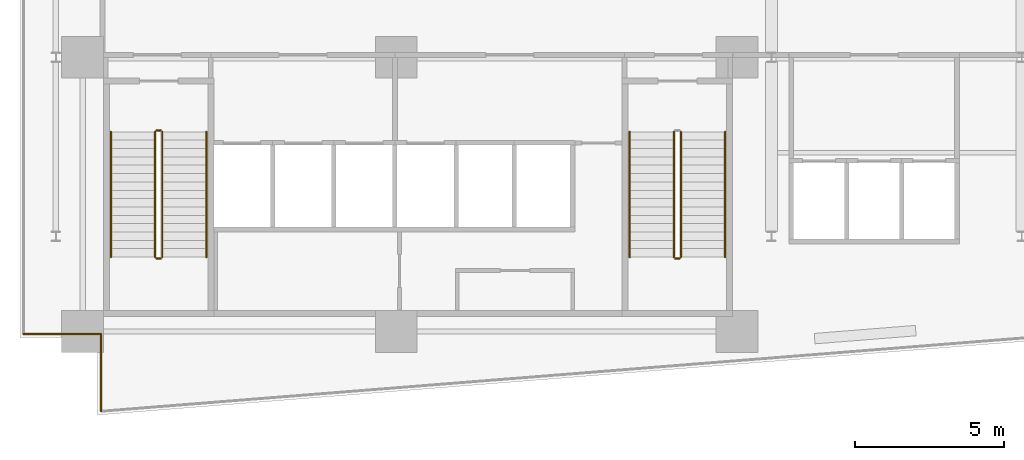
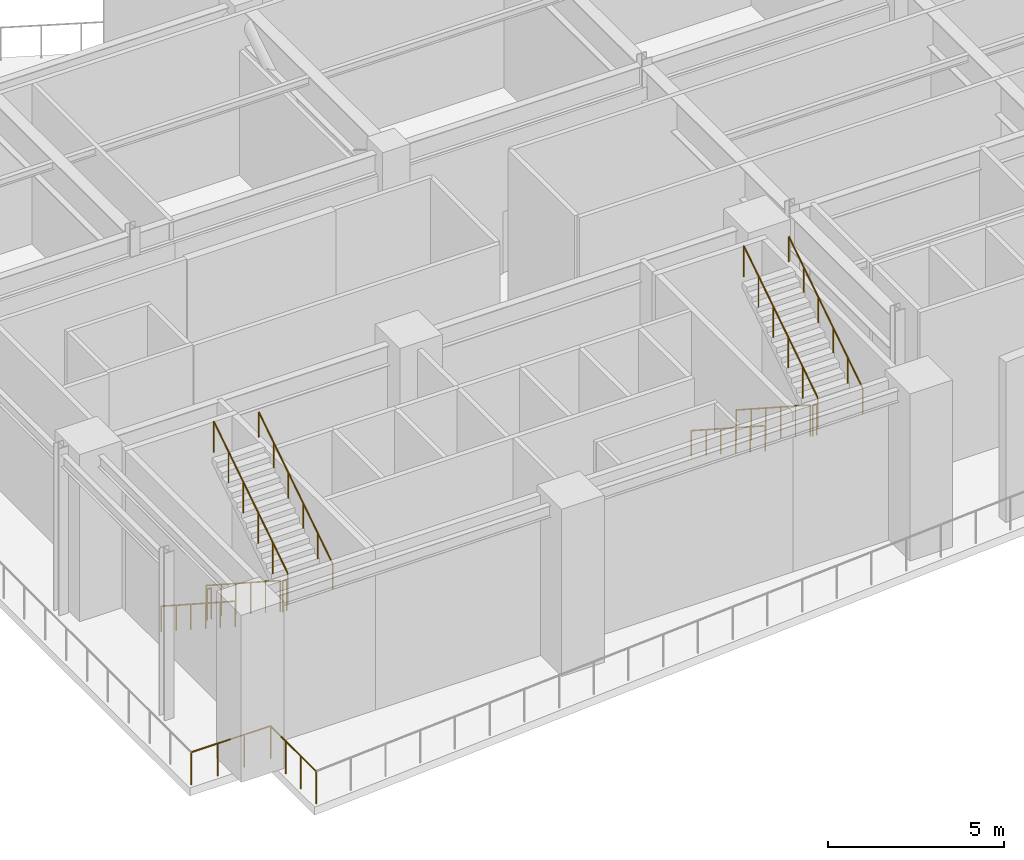
# One storey, part 9 of 14: 13 railings.
"""IFC4 building model written with IfcOpenShell, lengths in metres."""

from ifc_helpers import new_model, si_unit, direction, frame, origin, origin_2d, place, context, subcontext, project, spatial, circle, extrude, material, type_object, element, save


model = new_model("IFC4")

# Units and contexts
model_context = context("Model", 3, precision=1e-05, world=origin(), true_north=direction((0.0, 1.0)))
body_context = subcontext(model_context, "Body", "Model", "MODEL_VIEW")
ifc_project = project(units=[si_unit("LENGTHUNIT", "METRE"), si_unit("AREAUNIT", "SQUARE_METRE"), si_unit("VOLUMEUNIT", "CUBIC_METRE"), si_unit("PLANEANGLEUNIT", "RADIAN"), si_unit("MASSUNIT", "GRAM", prefix="KILO")], contexts=[model_context])

# Site, building, storey
site_placement = place(None, origin())
site = spatial("IfcSite", under=ifc_project, at=site_placement, CompositionType="ELEMENT")
building_placement = place(site_placement, origin())
building = spatial("IfcBuilding", under=site, at=building_placement, Name="Varnakote Quay Hospital", CompositionType="ELEMENT")
storey_placement = place(building_placement, frame((0.0, 0.0, 97.550048828125)))
storey = spatial("IfcBuildingStorey", under=building, at=storey_placement, Name="L24", CompositionType="ELEMENT", Elevation=97.550048828125)

# Railings
ifc_material_1 = material(Name="Anodised aluminium 6063-T6 Bronze", Category="aluminium")
railing_type_1 = type_object("IfcRailingType", Name="RLG-EXT-GUARD-1150", PredefinedType="GUARDRAIL", material=ifc_material_1)
railing_1_placement = place(storey_placement, frame((2.719970703125, 0.1298828125, 0.0)))
element("IfcRailing", 1, at=railing_1_placement, inside=storey, type_object=railing_type_1, Name="L24 Open Wind-Damping Deck Perimeter Safety Guard", PredefinedType="GUARDRAIL", context=body_context, shape_type="SweptSolid", body=[
    extrude(circle(Radius=0.02392578125, at=origin_2d()), frame((0.0, 0.0, 1.1259765625), z_axis=(0.0, 1.0, 0.0), x_axis=(-1.0, 0.0, 0.0)), (0.0, 0.0, 1.0), 2.590087890625),
    extrude(circle(Radius=0.02099609375, at=origin_2d()), origin(), (0.0, 0.0, 1.0), 1.101806640625),
    extrude(circle(Radius=0.02099609375, at=origin_2d()), frame((0.0, 0.86328125, 0.0)), (0.0, 0.0, 1.0), 1.101806640625),
    extrude(circle(Radius=0.02099609375, at=origin_2d()), frame((0.0, 1.726806640625, 0.0)), (0.0, 0.0, 1.0), 1.101806640625),
    extrude(circle(Radius=0.02099609375, at=origin_2d()), frame((0.0, 2.590087890625, 0.0)), (0.0, 0.0, 1.0), 1.101806640625),
])
railing_2_placement = place(storey_placement, frame((2.719970703125, 2.719970703125, 0.0)))
element("IfcRailing", 2, at=railing_2_placement, inside=storey, type_object=railing_type_1, Name="L24 Open Wind-Damping Deck Perimeter Safety Guard", PredefinedType="GUARDRAIL", context=body_context, shape_type="SweptSolid", body=[
    extrude(circle(Radius=0.02392578125, at=origin_2d()), frame((0.0, 0.0, 1.1259765625), z_axis=(-1.0, 0.0, 0.0), x_axis=(0.0, -1.0, 0.0)), (0.0, 0.0, 1.0), 2.599853515625),
    extrude(circle(Radius=0.02099609375, at=origin_2d()), origin(), (0.0, 0.0, 1.0), 1.101806640625),
    extrude(circle(Radius=0.02099609375, at=origin_2d()), frame((-0.86669921875, 0.0, 0.0)), (0.0, 0.0, 1.0), 1.101806640625),
    extrude(circle(Radius=0.02099609375, at=origin_2d()), frame((-1.733154296875, 0.0, 0.0)), (0.0, 0.0, 1.0), 1.101806640625),
    extrude(circle(Radius=0.02099609375, at=origin_2d()), frame((-2.599853515625, 0.0, 0.0)), (0.0, 0.0, 1.0), 1.101806640625),
])
ifc_material_2 = material(Name="Brushed stainless steel balustrade", Category="steel")
railing_type_2 = type_object("IfcRailingType", Name="RLG-STAIR-GUARD-1150", PredefinedType="GUARDRAIL", material=ifc_material_2)
railing_3_placement = place(storey_placement, frame((4.530029296875, 9.5, 0.18115234375)))
element("IfcRailing", 3, at=railing_3_placement, inside=storey, type_object=railing_type_2, Name="L24 ST-01 stair guard 1", PredefinedType="GUARDRAIL", context=body_context, shape_type="SweptSolid", body=[
    extrude(circle(Radius=0.02392578125, at=origin_2d()), frame((0.0, 0.0, 1.076171875), z_axis=(0.0, -0.839466714631, 0.543411110511), x_axis=(1.0, 0.0, 0.0)), (0.0, 0.0, 1.0), 5.003173828125),
    extrude(circle(Radius=0.02099609375, at=origin_2d()), origin(), (0.0, 0.0, 1.0), 1.052001953125),
    extrude(circle(Radius=0.02099609375, at=origin_2d()), frame((0.0, -0.840087890625, 0.543701171875)), (0.0, 0.0, 1.0), 1.052001953125),
    extrude(circle(Radius=0.02099609375, at=origin_2d()), frame((0.0, -1.679931640625, 1.08740234375)), (0.0, 0.0, 1.0), 1.052001953125),
    extrude(circle(Radius=0.02099609375, at=origin_2d()), frame((0.0, -2.52001953125, 1.63134765625)), (0.0, 0.0, 1.0), 1.052001953125),
    extrude(circle(Radius=0.02099609375, at=origin_2d()), frame((0.0, -3.35986328125, 2.175048828125)), (0.0, 0.0, 1.0), 1.052001953125),
    extrude(circle(Radius=0.02099609375, at=origin_2d()), frame((0.0, -4.199951171875, 2.71875)), (0.0, 0.0, 1.0), 1.052001953125),
])
railing_4_placement = place(storey_placement, frame((4.580078125, 5.25, 2.89990234375)))
element("IfcRailing", 4, at=railing_4_placement, inside=storey, type_object=railing_type_2, Name="L24 ST-01 stair guard 2", PredefinedType="GUARDRAIL", context=body_context, shape_type="SweptSolid", body=[
    extrude(circle(Radius=0.02392578125, at=origin_2d()), frame((0.0, 0.0, 1.076171875), z_axis=(1.0, 0.0, 0.0), x_axis=(0.0, 1.0, 0.0)), (0.0, 0.0, 1.0), 0.139892578125),
    extrude(circle(Radius=0.02099609375, at=origin_2d()), origin(), (0.0, 0.0, 1.0), 1.052001953125),
    extrude(circle(Radius=0.02099609375, at=origin_2d()), frame((0.139892578125, 0.0, 0.0)), (0.0, 0.0, 1.0), 1.052001953125),
])
railing_5_placement = place(storey_placement, frame((4.77001953125, 5.300048828125, 3.081298828125)))
element("IfcRailing", 5, at=railing_5_placement, inside=storey, type_object=railing_type_2, Name="L24 ST-01 stair guard 3", PredefinedType="GUARDRAIL", context=body_context, shape_type="SweptSolid", body=[
    extrude(circle(Radius=0.02392578125, at=origin_2d()), frame((0.0, 0.0, 1.076171875), z_axis=(0.0, 0.839466714631, 0.543411110511), x_axis=(-1.0, 0.0, 0.0)), (0.0, 0.0, 1.0), 5.003173828125),
    extrude(circle(Radius=0.02099609375, at=origin_2d()), origin(), (0.0, 0.0, 1.0), 1.052001953125),
    extrude(circle(Radius=0.02099609375, at=origin_2d()), frame((0.0, 0.840087890625, 0.543701171875)), (0.0, 0.0, 1.0), 1.052001953125),
    extrude(circle(Radius=0.02099609375, at=origin_2d()), frame((0.0, 1.679931640625, 1.08740234375)), (0.0, 0.0, 1.0), 1.052001953125),
    extrude(circle(Radius=0.02099609375, at=origin_2d()), frame((0.0, 2.52001953125, 1.63134765625)), (0.0, 0.0, 1.0), 1.052001953125),
    extrude(circle(Radius=0.02099609375, at=origin_2d()), frame((0.0, 3.35986328125, 2.175048828125)), (0.0, 0.0, 1.0), 1.052001953125),
    extrude(circle(Radius=0.02099609375, at=origin_2d()), frame((0.0, 4.199951171875, 2.71875)), (0.0, 0.0, 1.0), 1.052001953125),
])
railing_6_placement = place(storey_placement, frame((4.580078125, 9.550048828125, 0.0)))
element("IfcRailing", 6, at=railing_6_placement, inside=storey, type_object=railing_type_2, Name="L24 ST-01 stair guard 4", PredefinedType="GUARDRAIL", context=body_context, shape_type="SweptSolid", body=[
    extrude(circle(Radius=0.02392578125, at=origin_2d()), frame((0.0, 0.0, 1.076171875), z_axis=(1.0, 0.0, 0.0), x_axis=(0.0, 1.0, 0.0)), (0.0, 0.0, 1.0), 0.139892578125),
    extrude(circle(Radius=0.02099609375, at=origin_2d()), origin(), (0.0, 0.0, 1.0), 1.052001953125),
    extrude(circle(Radius=0.02099609375, at=origin_2d()), frame((0.139892578125, 0.0, 0.0)), (0.0, 0.0, 1.0), 1.052001953125),
])
railing_7_placement = place(storey_placement, frame((21.929931640625, 9.5, 0.18115234375)))
element("IfcRailing", 7, at=railing_7_placement, inside=storey, type_object=railing_type_2, Name="L24 ST-02 stair guard 1", PredefinedType="GUARDRAIL", context=body_context, shape_type="SweptSolid", body=[
    extrude(circle(Radius=0.02392578125, at=origin_2d()), frame((0.0, 0.0, 1.076171875), z_axis=(0.0, -0.839466714631, 0.543411110511), x_axis=(1.0, 0.0, 0.0)), (0.0, 0.0, 1.0), 5.003173828125),
    extrude(circle(Radius=0.02099609375, at=origin_2d()), origin(), (0.0, 0.0, 1.0), 1.052001953125),
    extrude(circle(Radius=0.02099609375, at=origin_2d()), frame((0.0, -0.840087890625, 0.543701171875)), (0.0, 0.0, 1.0), 1.052001953125),
    extrude(circle(Radius=0.02099609375, at=origin_2d()), frame((0.0, -1.679931640625, 1.08740234375)), (0.0, 0.0, 1.0), 1.052001953125),
    extrude(circle(Radius=0.02099609375, at=origin_2d()), frame((0.0, -2.52001953125, 1.63134765625)), (0.0, 0.0, 1.0), 1.052001953125),
    extrude(circle(Radius=0.02099609375, at=origin_2d()), frame((0.0, -3.35986328125, 2.175048828125)), (0.0, 0.0, 1.0), 1.052001953125),
    extrude(circle(Radius=0.02099609375, at=origin_2d()), frame((0.0, -4.199951171875, 2.71875)), (0.0, 0.0, 1.0), 1.052001953125),
])
railing_8_placement = place(storey_placement, frame((21.97998046875, 5.25, 2.89990234375)))
element("IfcRailing", 8, at=railing_8_placement, inside=storey, type_object=railing_type_2, Name="L24 ST-02 stair guard 2", PredefinedType="GUARDRAIL", context=body_context, shape_type="SweptSolid", body=[
    extrude(circle(Radius=0.02392578125, at=origin_2d()), frame((0.0, 0.0, 1.076171875), z_axis=(1.0, 0.0, 0.0), x_axis=(0.0, 1.0, 0.0)), (0.0, 0.0, 1.0), 0.14013671875),
    extrude(circle(Radius=0.02099609375, at=origin_2d()), origin(), (0.0, 0.0, 1.0), 1.052001953125),
    extrude(circle(Radius=0.02099609375, at=origin_2d()), frame((0.14013671875, 0.0, 0.0)), (0.0, 0.0, 1.0), 1.052001953125),
])
railing_9_placement = place(storey_placement, frame((22.169921875, 5.300048828125, 3.081298828125)))
element("IfcRailing", 9, at=railing_9_placement, inside=storey, type_object=railing_type_2, Name="L24 ST-02 stair guard 3", PredefinedType="GUARDRAIL", context=body_context, shape_type="SweptSolid", body=[
    extrude(circle(Radius=0.02392578125, at=origin_2d()), frame((0.0, 0.0, 1.076171875), z_axis=(0.0, 0.839466714631, 0.543411110511), x_axis=(-1.0, 0.0, 0.0)), (0.0, 0.0, 1.0), 5.003173828125),
    extrude(circle(Radius=0.02099609375, at=origin_2d()), origin(), (0.0, 0.0, 1.0), 1.052001953125),
    extrude(circle(Radius=0.02099609375, at=origin_2d()), frame((0.0, 0.840087890625, 0.543701171875)), (0.0, 0.0, 1.0), 1.052001953125),
    extrude(circle(Radius=0.02099609375, at=origin_2d()), frame((0.0, 1.679931640625, 1.08740234375)), (0.0, 0.0, 1.0), 1.052001953125),
    extrude(circle(Radius=0.02099609375, at=origin_2d()), frame((0.0, 2.52001953125, 1.63134765625)), (0.0, 0.0, 1.0), 1.052001953125),
    extrude(circle(Radius=0.02099609375, at=origin_2d()), frame((0.0, 3.35986328125, 2.175048828125)), (0.0, 0.0, 1.0), 1.052001953125),
    extrude(circle(Radius=0.02099609375, at=origin_2d()), frame((0.0, 4.199951171875, 2.71875)), (0.0, 0.0, 1.0), 1.052001953125),
])
ifc_material_3 = material(Name="Brushed stainless steel handrail", Category="steel")
railing_type_3 = type_object("IfcRailingType", Name="RLG-STAIR-HND-920", PredefinedType="HANDRAIL", material=ifc_material_3)
railing_10_placement = place(storey_placement, frame((3.050048828125, 9.5, 0.18115234375)))
element("IfcRailing", 10, at=railing_10_placement, inside=storey, type_object=railing_type_3, Name="L24 ST-01 stair handrail 1", PredefinedType="HANDRAIL", context=body_context, shape_type="SweptSolid", body=[
    extrude(circle(Radius=0.02392578125, at=origin_2d()), frame((0.0, 0.0, 0.8759765625), z_axis=(0.0, -0.839466714631, 0.543411110511), x_axis=(1.0, 0.0, 0.0)), (0.0, 0.0, 1.0), 5.003173828125),
    extrude(circle(Radius=0.02099609375, at=origin_2d()), origin(), (0.0, 0.0, 1.0), 0.851806640625),
    extrude(circle(Radius=0.02099609375, at=origin_2d()), frame((0.0, -0.840087890625, 0.543701171875)), (0.0, 0.0, 1.0), 0.851806640625),
    extrude(circle(Radius=0.02099609375, at=origin_2d()), frame((0.0, -1.679931640625, 1.08740234375)), (0.0, 0.0, 1.0), 0.851806640625),
    extrude(circle(Radius=0.02099609375, at=origin_2d()), frame((0.0, -2.52001953125, 1.63134765625)), (0.0, 0.0, 1.0), 0.851806640625),
    extrude(circle(Radius=0.02099609375, at=origin_2d()), frame((0.0, -3.35986328125, 2.175048828125)), (0.0, 0.0, 1.0), 0.851806640625),
    extrude(circle(Radius=0.02099609375, at=origin_2d()), frame((0.0, -4.199951171875, 2.71875)), (0.0, 0.0, 1.0), 0.851806640625),
])
railing_11_placement = place(storey_placement, frame((6.25, 5.300048828125, 3.081298828125)))
element("IfcRailing", 11, at=railing_11_placement, inside=storey, type_object=railing_type_3, Name="L24 ST-01 stair handrail 2", PredefinedType="HANDRAIL", context=body_context, shape_type="SweptSolid", body=[
    extrude(circle(Radius=0.02392578125, at=origin_2d()), frame((0.0, 0.0, 0.8759765625), z_axis=(0.0, 0.839466714631, 0.543411110511), x_axis=(-1.0, 0.0, 0.0)), (0.0, 0.0, 1.0), 5.003173828125),
    extrude(circle(Radius=0.02099609375, at=origin_2d()), origin(), (0.0, 0.0, 1.0), 0.851806640625),
    extrude(circle(Radius=0.02099609375, at=origin_2d()), frame((0.0, 0.840087890625, 0.543701171875)), (0.0, 0.0, 1.0), 0.851806640625),
    extrude(circle(Radius=0.02099609375, at=origin_2d()), frame((0.0, 1.679931640625, 1.08740234375)), (0.0, 0.0, 1.0), 0.851806640625),
    extrude(circle(Radius=0.02099609375, at=origin_2d()), frame((0.0, 2.52001953125, 1.63134765625)), (0.0, 0.0, 1.0), 0.851806640625),
    extrude(circle(Radius=0.02099609375, at=origin_2d()), frame((0.0, 3.35986328125, 2.175048828125)), (0.0, 0.0, 1.0), 0.851806640625),
    extrude(circle(Radius=0.02099609375, at=origin_2d()), frame((0.0, 4.199951171875, 2.71875)), (0.0, 0.0, 1.0), 0.851806640625),
])
railing_12_placement = place(storey_placement, frame((20.449951171875, 9.5, 0.18115234375)))
element("IfcRailing", 12, at=railing_12_placement, inside=storey, type_object=railing_type_3, Name="L24 ST-02 stair handrail 1", PredefinedType="HANDRAIL", context=body_context, shape_type="SweptSolid", body=[
    extrude(circle(Radius=0.02392578125, at=origin_2d()), frame((0.0, 0.0, 0.8759765625), z_axis=(0.0, -0.839466714631, 0.543411110511), x_axis=(1.0, 0.0, 0.0)), (0.0, 0.0, 1.0), 5.003173828125),
    extrude(circle(Radius=0.02099609375, at=origin_2d()), origin(), (0.0, 0.0, 1.0), 0.851806640625),
    extrude(circle(Radius=0.02099609375, at=origin_2d()), frame((0.0, -0.840087890625, 0.543701171875)), (0.0, 0.0, 1.0), 0.851806640625),
    extrude(circle(Radius=0.02099609375, at=origin_2d()), frame((0.0, -1.679931640625, 1.08740234375)), (0.0, 0.0, 1.0), 0.851806640625),
    extrude(circle(Radius=0.02099609375, at=origin_2d()), frame((0.0, -2.52001953125, 1.63134765625)), (0.0, 0.0, 1.0), 0.851806640625),
    extrude(circle(Radius=0.02099609375, at=origin_2d()), frame((0.0, -3.35986328125, 2.175048828125)), (0.0, 0.0, 1.0), 0.851806640625),
    extrude(circle(Radius=0.02099609375, at=origin_2d()), frame((0.0, -4.199951171875, 2.71875)), (0.0, 0.0, 1.0), 0.851806640625),
])
railing_13_placement = place(storey_placement, frame((23.64990234375, 5.300048828125, 3.081298828125)))
element("IfcRailing", 13, at=railing_13_placement, inside=storey, type_object=railing_type_3, Name="L24 ST-02 stair handrail 2", PredefinedType="HANDRAIL", context=body_context, shape_type="SweptSolid", body=[
    extrude(circle(Radius=0.02392578125, at=origin_2d()), frame((0.0, 0.0, 0.8759765625), z_axis=(0.0, 0.839466714631, 0.543411110511), x_axis=(-1.0, 0.0, 0.0)), (0.0, 0.0, 1.0), 5.003173828125),
    extrude(circle(Radius=0.02099609375, at=origin_2d()), origin(), (0.0, 0.0, 1.0), 0.851806640625),
    extrude(circle(Radius=0.02099609375, at=origin_2d()), frame((0.0, 0.840087890625, 0.543701171875)), (0.0, 0.0, 1.0), 0.851806640625),
    extrude(circle(Radius=0.02099609375, at=origin_2d()), frame((0.0, 1.679931640625, 1.08740234375)), (0.0, 0.0, 1.0), 0.851806640625),
    extrude(circle(Radius=0.02099609375, at=origin_2d()), frame((0.0, 2.52001953125, 1.63134765625)), (0.0, 0.0, 1.0), 0.851806640625),
    extrude(circle(Radius=0.02099609375, at=origin_2d()), frame((0.0, 3.35986328125, 2.175048828125)), (0.0, 0.0, 1.0), 0.851806640625),
    extrude(circle(Radius=0.02099609375, at=origin_2d()), frame((0.0, 4.199951171875, 2.71875)), (0.0, 0.0, 1.0), 0.851806640625),
])

save(model, "model.ifc")
